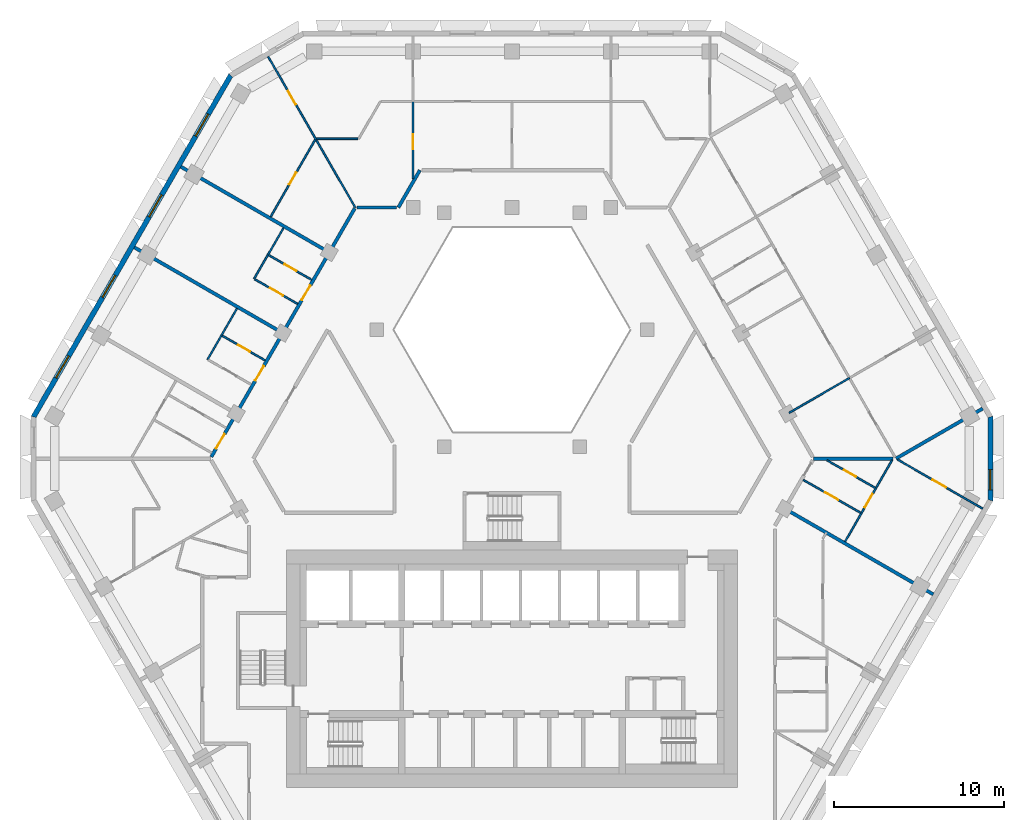
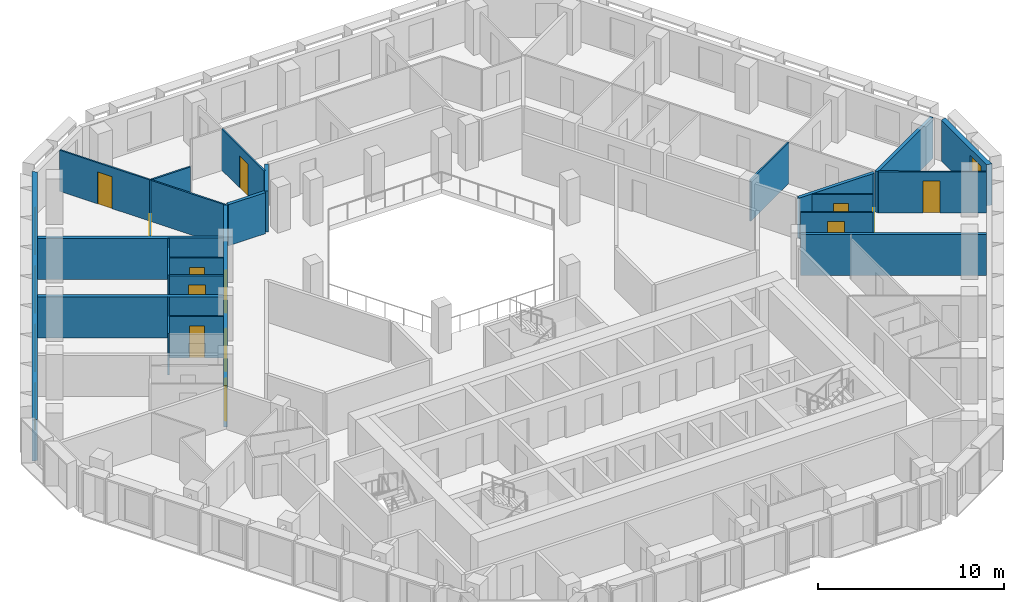
# One storey, part 7 of 15: 24 walls, 13 doors, 5 windows, 18 openings.
"""IFC4 building model written with IfcOpenShell, lengths in metres."""

from ifc_helpers import new_model, si_unit, direction, frame, frame_2d, origin, place, context, subcontext, project, spatial, polyline, rectangle, outline, extrude, material, layer, layer_set, type_object, element, fill, save


model = new_model("IFC4")

# Units and contexts
model_context = context("Model", 3, precision=1e-05, world=origin(), true_north=direction((0.0, 1.0)))
body_context = subcontext(model_context, "Body", "Model", "MODEL_VIEW")
ifc_project = project(units=[si_unit("LENGTHUNIT", "METRE"), si_unit("AREAUNIT", "SQUARE_METRE"), si_unit("VOLUMEUNIT", "CUBIC_METRE"), si_unit("PLANEANGLEUNIT", "RADIAN"), si_unit("MASSUNIT", "GRAM", prefix="KILO")], contexts=[model_context])

# Site, building, storey
site_placement = place(None, origin())
site = spatial("IfcSite", under=ifc_project, at=site_placement, CompositionType="ELEMENT")
building_placement = place(site_placement, origin())
building = spatial("IfcBuilding", under=site, at=building_placement, Name="Beryl Residences", CompositionType="ELEMENT")
storey_placement = place(building_placement, frame((0.0, 0.0, 135.60009765625)))
storey = spatial("IfcBuildingStorey", under=building, at=storey_placement, Name="L41", CompositionType="ELEMENT", Elevation=135.60009765625)

# Wall, openings, windows
ifc_material_1 = material(Name="Composite metal panel with mineral wool insulation")
ifc_layer_1 = layer(ifc_material_1, 0.300048828125)
ifc_layer_set_1 = layer_set([ifc_layer_1], Name="ES1 pale metal composite panel wall 300 mm")
wall_type_1 = type_object("IfcWallType", Name="ES1 pale metal composite panel wall 300 mm", PredefinedType="SOLIDWALL", material=ifc_layer_set_1)
wall_1_placement = place(storey_placement, frame((-16.554931640625, 23.02490234375, 0.0), z_axis=(0.0, 0.0, 1.0), x_axis=(-0.500020536353, -0.866013546791, 0.0)))
wall_1 = element("IfcWall", 1, at=wall_1_placement, inside=storey, type_object=wall_type_1, Name="ES1 external wall L41 NW", PredefinedType="SOLIDWALL", context=body_context, shape_type="SweptSolid", body=[
    extrude(outline(polyline([(0.0, -0.14990234375), (23.3251953125, -0.14990234375), (23.244873046875, 0.14990234375), (0.080322265625, 0.14990234375), (0.0, -0.14990234375)])), origin(), (0.0, 0.0, 1.0), 2.699951171875),
])
opening_1_placement = place(wall_1_placement, frame((2.68505859375, 0.0, 0.14990234375)))
opening_1 = element("IfcOpeningElement", 2, at=opening_1_placement, cuts=wall_1, Name="Opening W1", PredefinedType="OPENING", context=body_context, shape_type="SweptSolid", body=[
    extrude(rectangle(XDim=1.5, YDim=2.10009765625, at=frame_2d((0.75, 1.050048828125))), frame((0.0, 0.159912109375, 0.0), z_axis=(0.0, -1.0, 0.0), x_axis=(1.0, 0.0, 0.0)), (0.0, 0.0, 1.0), 0.320068359375),
])
opening_2_placement = place(wall_1_placement, frame((8.1708984375, 0.0, 0.14990234375)))
opening_2 = element("IfcOpeningElement", 3, at=opening_2_placement, cuts=wall_1, Name="Opening W1", PredefinedType="OPENING", context=body_context, shape_type="SweptSolid", body=[
    extrude(rectangle(XDim=1.5, YDim=2.10009765625, at=frame_2d((0.75, 1.050048828125))), frame((0.0, 0.159912109375, 0.0), z_axis=(0.0, -1.0, 0.0), x_axis=(1.0, 0.0, 0.0)), (0.0, 0.0, 1.0), 0.320068359375),
])
opening_3_placement = place(wall_1_placement, frame((13.655029296875, 0.0, 0.14990234375)))
opening_3 = element("IfcOpeningElement", 4, at=opening_3_placement, cuts=wall_1, Name="Opening W1", PredefinedType="OPENING", context=body_context, shape_type="SweptSolid", body=[
    extrude(rectangle(XDim=1.5, YDim=2.10009765625, at=frame_2d((0.75, 1.050048828125))), frame((0.0, 0.159912109375, 0.0), z_axis=(0.0, -1.0, 0.0), x_axis=(1.0, 0.0, 0.0)), (0.0, 0.0, 1.0), 0.320068359375),
])
opening_4_placement = place(wall_1_placement, frame((19.139892578125, 0.0, 0.14990234375)))
opening_4 = element("IfcOpeningElement", 5, at=opening_4_placement, cuts=wall_1, Name="Opening W1", PredefinedType="OPENING", context=body_context, shape_type="SweptSolid", body=[
    extrude(rectangle(XDim=1.5, YDim=2.10009765625, at=frame_2d((0.75, 1.050048828125))), frame((0.0, 0.159912109375, 0.0), z_axis=(0.0, -1.0, 0.0), x_axis=(1.0, 0.0, 0.0)), (0.0, 0.0, 1.0), 0.320068359375),
])
ifc_material_2 = material(Name="Aluminium and clear glass", Category="aluminium")
window_type_1 = type_object("IfcWindowType", Name="W1 cell window 1500 x 2100 mm", PartitioningType="SINGLE_PANEL", PredefinedType="WINDOW", material=ifc_material_2)
window_1_placement = place(opening_1_placement, origin())
window_1 = element("IfcWindow", 6, at=window_1_placement, inside=storey, type_object=window_type_1, Name="W1 window L41 NW 2", OverallHeight=2.10009765625, OverallWidth=1.5, PartitioningType="SINGLE_PANEL", PredefinedType="WINDOW", context=body_context, shape_type="SweptSolid", body=[
    extrude(rectangle(XDim=1.5, YDim=2.10009765625, at=frame_2d((0.75, 1.050048828125))), frame((0.0, 0.030029296875, 0.0), z_axis=(0.0, -1.0, 0.0), x_axis=(1.0, 0.0, 0.0)), (0.0, 0.0, 1.0), 0.06005859375),
])
fill(opening_1, window_1)
window_2_placement = place(opening_2_placement, origin())
window_2 = element("IfcWindow", 7, at=window_2_placement, inside=storey, type_object=window_type_1, Name="W1 window L41 NW 4", OverallHeight=2.10009765625, OverallWidth=1.5, PartitioningType="SINGLE_PANEL", PredefinedType="WINDOW", context=body_context, shape_type="SweptSolid", body=[
    extrude(rectangle(XDim=1.5, YDim=2.10009765625, at=frame_2d((0.75, 1.050048828125))), frame((0.0, 0.030029296875, 0.0), z_axis=(0.0, -1.0, 0.0), x_axis=(1.0, 0.0, 0.0)), (0.0, 0.0, 1.0), 0.06005859375),
])
fill(opening_2, window_2)
window_3_placement = place(opening_3_placement, origin())
window_3 = element("IfcWindow", 8, at=window_3_placement, inside=storey, type_object=window_type_1, Name="W1 window L41 NW 6", OverallHeight=2.10009765625, OverallWidth=1.5, PartitioningType="SINGLE_PANEL", PredefinedType="WINDOW", context=body_context, shape_type="SweptSolid", body=[
    extrude(rectangle(XDim=1.5, YDim=2.10009765625, at=frame_2d((0.75, 1.050048828125))), frame((0.0, 0.030029296875, 0.0), z_axis=(0.0, -1.0, 0.0), x_axis=(1.0, 0.0, 0.0)), (0.0, 0.0, 1.0), 0.06005859375),
])
fill(opening_3, window_3)
window_4_placement = place(opening_4_placement, origin())
window_4 = element("IfcWindow", 9, at=window_4_placement, inside=storey, type_object=window_type_1, Name="W1 window L41 NW 8", OverallHeight=2.10009765625, OverallWidth=1.5, PartitioningType="SINGLE_PANEL", PredefinedType="WINDOW", context=body_context, shape_type="SweptSolid", body=[
    extrude(rectangle(XDim=1.5, YDim=2.10009765625, at=frame_2d((0.75, 1.050048828125))), frame((0.0, 0.030029296875, 0.0), z_axis=(0.0, -1.0, 0.0), x_axis=(1.0, 0.0, 0.0)), (0.0, 0.0, 1.0), 0.06005859375),
])
fill(opening_4, window_4)

# Wall, opening, window
wall_2_placement = place(storey_placement, frame((28.197998046875, -2.10009765625, 0.0), z_axis=(0.0, 0.0, 1.0), x_axis=(0.0, 1.0, 0.0)))
wall_2 = element("IfcWall", 10, at=wall_2_placement, inside=storey, type_object=wall_type_1, Name="ES1 external wall L41 SE-NE", PredefinedType="SOLIDWALL", context=body_context, shape_type="SweptSolid", body=[
    extrude(outline(polyline([(0.0, -0.14990234375), (5.0, -0.14990234375), (4.919677734375, 0.14990234375), (0.080322265625, 0.14990234375), (0.0, -0.14990234375)])), origin(), (0.0, 0.0, 1.0), 2.699951171875),
])
opening_5_placement = place(wall_2_placement, frame((0.64990234375, 0.0, 0.14990234375)))
opening_5 = element("IfcOpeningElement", 11, at=opening_5_placement, cuts=wall_2, Name="Opening W2", PredefinedType="OPENING", context=body_context, shape_type="SweptSolid", body=[
    extrude(rectangle(XDim=1.199951171875, YDim=2.10009765625, at=frame_2d((0.60009765625, 1.050048828125))), frame((0.0, 0.159912109375, 0.0), z_axis=(0.0, -1.0, 0.0), x_axis=(1.0, 0.0, 0.0)), (0.0, 0.0, 1.0), 0.320068359375),
])
ifc_material_3 = material(Name="Aluminium and clear glass", Category="aluminium")
window_type_2 = type_object("IfcWindowType", Name="W2 chamfer window 1200 x 2100 mm", PartitioningType="SINGLE_PANEL", PredefinedType="WINDOW", material=ifc_material_3)
window_5_placement = place(opening_5_placement, origin())
window_5 = element("IfcWindow", 12, at=window_5_placement, inside=storey, type_object=window_type_2, Name="W2 window L41 SE-NE 1", OverallHeight=2.10009765625, OverallWidth=1.199951171875, PartitioningType="SINGLE_PANEL", PredefinedType="WINDOW", context=body_context, shape_type="SweptSolid", body=[
    extrude(rectangle(XDim=1.199951171875, YDim=2.10009765625, at=frame_2d((0.60009765625, 1.050048828125))), frame((0.0, 0.030029296875, 0.0), z_axis=(0.0, -1.0, 0.0), x_axis=(1.0, 0.0, 0.0)), (0.0, 0.0, 1.0), 0.06005859375),
])
fill(opening_5, window_5)

# Wall, opening, door
ifc_material_4 = material(Name="Gypsum board partition on steel studs", Category="steel")
ifc_layer_2 = layer(ifc_material_4, 0.10009765625)
ifc_layer_set_2 = layer_set([ifc_layer_2], Name="PT1 partition 100 mm gypsum board on steel studs")
wall_type_2 = type_object("IfcWallType", Name="PT1 partition 100 mm gypsum board on steel studs", PredefinedType="PARTITIONING", material=ifc_layer_set_2)
wall_3_placement = place(storey_placement, frame((-14.3701171875, 24.090087890625, 0.0), z_axis=(0.0, 0.0, 1.0), x_axis=(0.50002438799, -0.866011322914, 0.0)))
wall_3 = element("IfcWall", 13, at=wall_3_placement, inside=storey, type_object=wall_type_2, Name="Wall PT1 L41 001", PredefinedType="PARTITIONING", context=body_context, shape_type="SweptSolid", body=[
    extrude(rectangle(XDim=10.265625, YDim=0.10009765625, at=frame_2d((5.1328125, 0.0))), origin(), (0.0, 0.0, 1.0), 2.699951171875),
])
opening_6_placement = place(wall_3_placement, frame((2.346923828125, 0.0, 0.0)))
opening_6 = element("IfcOpeningElement", 14, at=opening_6_placement, cuts=wall_3, Name="Opening D1335", PredefinedType="OPENING", context=body_context, shape_type="SweptSolid", body=[
    extrude(rectangle(XDim=0.89990234375, YDim=2.10009765625, at=frame_2d((0.449951171875, 1.050048828125))), frame((0.0, 0.06005859375, 0.0), z_axis=(0.0, -1.0, 0.0), x_axis=(1.0, 0.0, 0.0)), (0.0, 0.0, 1.0), 0.1201171875),
])
ifc_material_5 = material(Name="Timber door leaf", Category="wood")
door_type_1 = type_object("IfcDoorType", Name="D2 room door 900 x 2100 mm", OperationType="SINGLE_SWING_LEFT", PredefinedType="DOOR", material=ifc_material_5)
door_1_placement = place(opening_6_placement, origin())
door_1 = element("IfcDoor", 15, at=door_1_placement, inside=storey, type_object=door_type_1, Name="Door D1335 L41 001", OperationType="SINGLE_SWING_LEFT", OverallHeight=2.10009765625, OverallWidth=0.89990234375, PredefinedType="DOOR", context=body_context, shape_type="SweptSolid", body=[
    extrude(rectangle(XDim=0.89990234375, YDim=2.10009765625, at=frame_2d((0.449951171875, 1.050048828125))), frame((0.0, 0.02490234375, 0.0), z_axis=(0.0, -1.0, 0.0), x_axis=(1.0, 0.0, 0.0)), (0.0, 0.0, 1.0), 0.050048828125),
])
fill(opening_6, door_1)

wall_4_placement = place(storey_placement, frame((-17.075927734375, 7.64208984375, 0.0), z_axis=(0.0, 0.0, 1.0), x_axis=(0.866003949776, -0.500037157592, 0.0)))
wall_4 = element("IfcWall", 16, at=wall_4_placement, inside=storey, type_object=wall_type_2, Name="Wall PT1 L41 013", PredefinedType="PARTITIONING", context=body_context, shape_type="SweptSolid", body=[
    extrude(rectangle(XDim=2.909912109375, YDim=0.10009765625, at=frame_2d((1.455078125, 0.0))), origin(), (0.0, 0.0, 1.0), 2.699951171875),
])
opening_7_placement = place(wall_4_placement, frame((1.080078125, 0.0, 0.0)))
opening_7 = element("IfcOpeningElement", 17, at=opening_7_placement, cuts=wall_4, Name="Opening D1343", PredefinedType="OPENING", context=body_context, shape_type="SweptSolid", body=[
    extrude(rectangle(XDim=0.800048828125, YDim=2.10009765625, at=frame_2d((0.39990234375, 1.050048828125))), frame((0.0, 0.06005859375, 0.0), z_axis=(0.0, -1.0, 0.0), x_axis=(1.0, 0.0, 0.0)), (0.0, 0.0, 1.0), 0.1201171875),
])
ifc_material_6 = material(Name="Timber door leaf", Category="wood")
door_type_2 = type_object("IfcDoorType", Name="D3 bathroom door 800 x 2100 mm", OperationType="SINGLE_SWING_LEFT", PredefinedType="DOOR", material=ifc_material_6)
door_2_placement = place(opening_7_placement, origin())
door_2 = element("IfcDoor", 18, at=door_2_placement, inside=storey, type_object=door_type_2, Name="Door D1343 L41 001", OperationType="SINGLE_SWING_LEFT", OverallHeight=2.10009765625, OverallWidth=0.800048828125, PredefinedType="DOOR", context=body_context, shape_type="SweptSolid", body=[
    extrude(rectangle(XDim=0.800048828125, YDim=2.10009765625, at=frame_2d((0.39990234375, 1.050048828125))), frame((0.0, 0.02490234375, 0.0), z_axis=(0.0, -1.0, 0.0), x_axis=(1.0, 0.0, 0.0)), (0.0, 0.0, 1.0), 0.050048828125),
])
fill(opening_7, door_2)

wall_5_placement = place(storey_placement, frame((-14.333984375, 12.39208984375, 0.0), z_axis=(0.0, 0.0, 1.0), x_axis=(0.866003949776, -0.500037157592, 0.0)))
wall_5 = element("IfcWall", 19, at=wall_5_placement, inside=storey, type_object=wall_type_2, Name="Wall PT1 L41 015", PredefinedType="PARTITIONING", context=body_context, shape_type="SweptSolid", body=[
    extrude(rectangle(XDim=2.909912109375, YDim=0.10009765625, at=frame_2d((1.455078125, 0.0))), origin(), (0.0, 0.0, 1.0), 2.699951171875),
])
opening_8_placement = place(wall_5_placement, frame((1.080078125, 0.0, 0.0)))
opening_8 = element("IfcOpeningElement", 20, at=opening_8_placement, cuts=wall_5, Name="Opening D1340", PredefinedType="OPENING", context=body_context, shape_type="SweptSolid", body=[
    extrude(rectangle(XDim=0.800048828125, YDim=2.10009765625, at=frame_2d((0.39990234375, 1.050048828125))), frame((0.0, 0.06005859375, 0.0), z_axis=(0.0, -1.0, 0.0), x_axis=(1.0, 0.0, 0.0)), (0.0, 0.0, 1.0), 0.1201171875),
])
door_3_placement = place(opening_8_placement, origin())
door_3 = element("IfcDoor", 21, at=door_3_placement, inside=storey, type_object=door_type_2, Name="Door D1340 L41 001", OperationType="SINGLE_SWING_RIGHT", OverallHeight=2.10009765625, OverallWidth=0.800048828125, PredefinedType="DOOR", context=body_context, shape_type="SweptSolid", body=[
    extrude(rectangle(XDim=0.800048828125, YDim=2.10009765625, at=frame_2d((0.39990234375, 1.050048828125))), frame((0.0, 0.02490234375, 0.0), z_axis=(0.0, -1.0, 0.0), x_axis=(1.0, 0.0, 0.0)), (0.0, 0.0, 1.0), 0.050048828125),
])
fill(opening_8, door_3)

wall_6_placement = place(storey_placement, frame((17.1708984375, -0.85693359375, 0.0), z_axis=(0.0, 0.0, 1.0), x_axis=(0.867173455867, -0.49800622229, 0.0)))
wall_6 = element("IfcWall", 22, at=wall_6_placement, inside=storey, type_object=wall_type_2, Name="Wall PT1 L41 016", PredefinedType="PARTITIONING", context=body_context, shape_type="SweptSolid", body=[
    extrude(rectangle(XDim=3.89794921875, YDim=0.10009765625, at=frame_2d((1.948974609375, 0.0))), origin(), (0.0, 0.0, 1.0), 2.699951171875),
])
opening_9_placement = place(wall_6_placement, frame((1.47412109375, 0.0, 0.0)))
opening_9 = element("IfcOpeningElement", 23, at=opening_9_placement, cuts=wall_6, Name="Opening D1315", PredefinedType="OPENING", context=body_context, shape_type="SweptSolid", body=[
    extrude(rectangle(XDim=0.89990234375, YDim=2.10009765625, at=frame_2d((0.449951171875, 1.050048828125))), frame((0.0, 0.06005859375, 0.0), z_axis=(0.0, -1.0, 0.0), x_axis=(1.0, 0.0, 0.0)), (0.0, 0.0, 1.0), 0.1201171875),
])
door_4_placement = place(opening_9_placement, origin())
door_4 = element("IfcDoor", 24, at=door_4_placement, inside=storey, type_object=door_type_1, Name="Door D1315 L41 001", OperationType="SINGLE_SWING_LEFT", OverallHeight=2.10009765625, OverallWidth=0.89990234375, PredefinedType="DOOR", context=body_context, shape_type="SweptSolid", body=[
    extrude(rectangle(XDim=0.89990234375, YDim=2.10009765625, at=frame_2d((0.449951171875, 1.050048828125))), frame((0.0, 0.02490234375, 0.0), z_axis=(0.0, -1.0, 0.0), x_axis=(1.0, 0.0, 0.0)), (0.0, 0.0, 1.0), 0.050048828125),
])
fill(opening_9, door_4)

wall_7_placement = place(storey_placement, frame((18.568115234375, 0.301025390625, 0.0), z_axis=(0.0, 0.0, 1.0), x_axis=(0.867155675456, -0.49803718187, 0.0)))
wall_7 = element("IfcWall", 25, at=wall_7_placement, inside=storey, type_object=wall_type_2, Name="Wall PT1 L41 017", PredefinedType="PARTITIONING", context=body_context, shape_type="SweptSolid", body=[
    extrude(rectangle(XDim=3.266845703125, YDim=0.10009765625, at=frame_2d((1.63330078125, 0.0))), origin(), (0.0, 0.0, 1.0), 2.699951171875),
])
opening_10_placement = place(wall_7_placement, frame((1.157958984375, 0.0, 0.0)))
opening_10 = element("IfcOpeningElement", 26, at=opening_10_placement, cuts=wall_7, Name="Opening D1316", PredefinedType="OPENING", context=body_context, shape_type="SweptSolid", body=[
    extrude(rectangle(XDim=0.800048828125, YDim=2.10009765625, at=frame_2d((0.39990234375, 1.050048828125))), frame((0.0, 0.06005859375, 0.0), z_axis=(0.0, -1.0, 0.0), x_axis=(1.0, 0.0, 0.0)), (0.0, 0.0, 1.0), 0.1201171875),
])
door_5_placement = place(opening_10_placement, origin())
door_5 = element("IfcDoor", 27, at=door_5_placement, inside=storey, type_object=door_type_2, Name="Door D1316 L41 001", OperationType="SINGLE_SWING_RIGHT", OverallHeight=2.10009765625, OverallWidth=0.800048828125, PredefinedType="DOOR", context=body_context, shape_type="SweptSolid", body=[
    extrude(rectangle(XDim=0.800048828125, YDim=2.10009765625, at=frame_2d((0.39990234375, 1.050048828125))), frame((0.0, 0.02490234375, 0.0), z_axis=(0.0, -1.0, 0.0), x_axis=(1.0, 0.0, 0.0)), (0.0, 0.0, 1.0), 0.050048828125),
])
fill(opening_10, door_5)

wall_8_placement = place(storey_placement, frame((22.72900390625, 0.343017578125, 0.0), z_axis=(0.0, 0.0, 1.0), x_axis=(0.865996608848, -0.500049870977, 0.0)))
wall_8 = element("IfcWall", 28, at=wall_8_placement, inside=storey, type_object=wall_type_2, Name="Wall PT1 L41 018", PredefinedType="PARTITIONING", context=body_context, shape_type="SweptSolid", body=[
    extrude(rectangle(XDim=5.78759765625, YDim=0.10009765625, at=frame_2d((2.893798828125, 0.0))), origin(), (0.0, 0.0, 1.0), 2.699951171875),
])
opening_11_placement = place(wall_8_placement, frame((2.385986328125, 0.0, 0.0)))
opening_11 = element("IfcOpeningElement", 29, at=opening_11_placement, cuts=wall_8, Name="Opening D1318", PredefinedType="OPENING", context=body_context, shape_type="SweptSolid", body=[
    extrude(rectangle(XDim=0.89990234375, YDim=2.10009765625, at=frame_2d((0.449951171875, 1.050048828125))), frame((0.0, 0.06005859375, 0.0), z_axis=(0.0, -1.0, 0.0), x_axis=(1.0, 0.0, 0.0)), (0.0, 0.0, 1.0), 0.1201171875),
])
door_6_placement = place(opening_11_placement, origin())
door_6 = element("IfcDoor", 30, at=door_6_placement, inside=storey, type_object=door_type_1, Name="Door D1318 L41 001", OperationType="SINGLE_SWING_RIGHT", OverallHeight=2.10009765625, OverallWidth=0.89990234375, PredefinedType="DOOR", context=body_context, shape_type="SweptSolid", body=[
    extrude(rectangle(XDim=0.89990234375, YDim=2.10009765625, at=frame_2d((0.449951171875, 1.050048828125))), frame((0.0, 0.02490234375, 0.0), z_axis=(0.0, -1.0, 0.0), x_axis=(1.0, 0.0, 0.0)), (0.0, 0.0, 1.0), 0.050048828125),
])
fill(opening_11, door_6)

wall_9_placement = place(storey_placement, frame((-15.156005859375, 10.967041015625, 0.0), z_axis=(0.0, 0.0, 1.0), x_axis=(0.866003949776, -0.500037157592, 0.0)))
wall_9 = element("IfcWall", 31, at=wall_9_placement, inside=storey, type_object=wall_type_2, Name="Wall PT1 L41 019", PredefinedType="PARTITIONING", context=body_context, shape_type="SweptSolid", body=[
    extrude(rectangle(XDim=2.909912109375, YDim=0.10009765625, at=frame_2d((1.455078125, 0.0))), origin(), (0.0, 0.0, 1.0), 2.699951171875),
])
opening_12_placement = place(wall_9_placement, frame((1.029052734375, 0.0, 0.0)))
opening_12 = element("IfcOpeningElement", 32, at=opening_12_placement, cuts=wall_9, Name="Opening D1339", PredefinedType="OPENING", context=body_context, shape_type="SweptSolid", body=[
    extrude(rectangle(XDim=0.89990234375, YDim=2.10009765625, at=frame_2d((0.449951171875, 1.050048828125))), frame((0.0, 0.06005859375, 0.0), z_axis=(0.0, -1.0, 0.0), x_axis=(1.0, 0.0, 0.0)), (0.0, 0.0, 1.0), 0.1201171875),
])
door_7_placement = place(opening_12_placement, origin())
door_7 = element("IfcDoor", 33, at=door_7_placement, inside=storey, type_object=door_type_1, Name="Door D1339 L41 001", OperationType="SINGLE_SWING_LEFT", OverallHeight=2.10009765625, OverallWidth=0.89990234375, PredefinedType="DOOR", context=body_context, shape_type="SweptSolid", body=[
    extrude(rectangle(XDim=0.89990234375, YDim=2.10009765625, at=frame_2d((0.449951171875, 1.050048828125))), frame((0.0, 0.02490234375, 0.0), z_axis=(0.0, -1.0, 0.0), x_axis=(1.0, 0.0, 0.0)), (0.0, 0.0, 1.0), 0.050048828125),
])
fill(opening_12, door_7)

# Wall
wall_10_placement = place(storey_placement, frame((-11.51611328125, 19.24609375, 0.0), z_axis=(0.0, 0.0, 1.0), x_axis=(1.0, 0.0, 0.0)))
element("IfcWall", 34, at=wall_10_placement, inside=storey, type_object=wall_type_2, Name="Wall PT1 L41 025", PredefinedType="PARTITIONING", context=body_context, shape_type="SweptSolid", body=[
    extrude(rectangle(XDim=2.425048828125, YDim=0.10009765625, at=frame_2d((1.21240234375, 0.0))), origin(), (0.0, 0.0, 1.0), 2.699951171875),
])

# Wall, opening, door
wall_11_placement = place(storey_placement, frame((19.633056640625, -4.488037109375, 0.0), z_axis=(0.0, 0.0, 1.0), x_axis=(0.499989971015, 0.866031193944, 0.0)))
wall_11 = element("IfcWall", 35, at=wall_11_placement, inside=storey, type_object=wall_type_2, Name="Wall PT1 L41 029", PredefinedType="PARTITIONING", context=body_context, shape_type="SweptSolid", body=[
    extrude(rectangle(XDim=5.52978515625, YDim=0.10009765625, at=frame_2d((2.764892578125, 0.0))), origin(), (0.0, 0.0, 1.0), 2.699951171875),
])
opening_13_placement = place(wall_11_placement, frame((2.322021484375, 0.0, 0.0)))
opening_13 = element("IfcOpeningElement", 36, at=opening_13_placement, cuts=wall_11, Name="Opening D1317", PredefinedType="OPENING", context=body_context, shape_type="SweptSolid", body=[
    extrude(rectangle(XDim=0.89990234375, YDim=2.10009765625, at=frame_2d((0.449951171875, 1.050048828125))), frame((0.0, 0.06005859375, 0.0), z_axis=(0.0, -1.0, 0.0), x_axis=(1.0, 0.0, 0.0)), (0.0, 0.0, 1.0), 0.1201171875),
])
door_8_placement = place(opening_13_placement, origin())
door_8 = element("IfcDoor", 37, at=door_8_placement, inside=storey, type_object=door_type_1, Name="Door D1317 L41 001", OperationType="SINGLE_SWING_LEFT", OverallHeight=2.10009765625, OverallWidth=0.89990234375, PredefinedType="DOOR", context=body_context, shape_type="SweptSolid", body=[
    extrude(rectangle(XDim=0.89990234375, YDim=2.10009765625, at=frame_2d((0.449951171875, 1.050048828125))), frame((0.0, 0.02490234375, 0.0), z_axis=(0.0, -1.0, 0.0), x_axis=(1.0, 0.0, 0.0)), (0.0, 0.0, 1.0), 0.050048828125),
])
fill(opening_13, door_8)

# Walls
wall_12_placement = place(storey_placement, frame((-17.94189453125, 6.242919921875, 0.0), z_axis=(0.0, 0.0, 1.0), x_axis=(0.49997462182, 0.866040055388, 0.0)))
element("IfcWall", 38, at=wall_12_placement, inside=storey, type_object=wall_type_2, Name="Wall PT1 L41 031", PredefinedType="PARTITIONING", context=body_context, shape_type="SweptSolid", body=[
    extrude(rectangle(XDim=3.464111328125, YDim=0.10009765625, at=frame_2d((1.73193359375, 0.0))), origin(), (0.0, 0.0, 1.0), 2.699951171875),
])
wall_13_placement = place(storey_placement, frame((-15.198974609375, 10.992919921875, 0.0), z_axis=(0.0, 0.0, 1.0), x_axis=(0.499885210257, 0.866091667531, 0.0)))
element("IfcWall", 39, at=wall_13_placement, inside=storey, type_object=wall_type_2, Name="Wall PT1 L41 032", PredefinedType="PARTITIONING", context=body_context, shape_type="SweptSolid", body=[
    extrude(rectangle(XDim=3.462646484375, YDim=0.10009765625, at=frame_2d((1.7314453125, 0.0))), origin(), (0.0, 0.0, 1.0), 2.699951171875),
])

# Wall, opening, door
wall_14_placement = place(storey_placement, frame((-14.221923828125, 14.658935546875, 0.0), z_axis=(0.0, 0.0, 1.0), x_axis=(0.500053212623, 0.865994679283, 0.0)))
wall_14 = element("IfcWall", 40, at=wall_14_placement, inside=storey, type_object=wall_type_2, Name="Wall PT1 L41 034", PredefinedType="PARTITIONING", context=body_context, shape_type="SweptSolid", body=[
    extrude(rectangle(XDim=5.2392578125, YDim=0.10009765625, at=frame_2d((2.61962890625, 0.0))), origin(), (0.0, 0.0, 1.0), 2.699951171875),
])
opening_14_placement = place(wall_14_placement, frame((2.197998046875, 0.0, 0.0)))
opening_14 = element("IfcOpeningElement", 41, at=opening_14_placement, cuts=wall_14, Name="Opening D1337", PredefinedType="OPENING", context=body_context, shape_type="SweptSolid", body=[
    extrude(rectangle(XDim=0.800048828125, YDim=2.10009765625, at=frame_2d((0.39990234375, 1.050048828125))), frame((0.0, 0.06005859375, 0.0), z_axis=(0.0, -1.0, 0.0), x_axis=(1.0, 0.0, 0.0)), (0.0, 0.0, 1.0), 0.1201171875),
])
door_9_placement = place(opening_14_placement, origin())
door_9 = element("IfcDoor", 42, at=door_9_placement, inside=storey, type_object=door_type_2, Name="Door D1337 L41 001", OperationType="SINGLE_SWING_LEFT", OverallHeight=2.10009765625, OverallWidth=0.800048828125, PredefinedType="DOOR", context=body_context, shape_type="SweptSolid", body=[
    extrude(rectangle(XDim=0.800048828125, YDim=2.10009765625, at=frame_2d((0.39990234375, 1.050048828125))), frame((0.0, 0.02490234375, 0.0), z_axis=(0.0, -1.0, 0.0), x_axis=(1.0, 0.0, 0.0)), (0.0, 0.0, 1.0), 0.050048828125),
])
fill(opening_14, door_9)

wall_15_placement = place(storey_placement, frame((-5.8310546875, 16.89990234375, 0.0), z_axis=(0.0, 0.0, 1.0), x_axis=(0.0, 1.0, 0.0)))
wall_15 = element("IfcWall", 43, at=wall_15_placement, inside=storey, type_object=wall_type_2, Name="Wall PT1 L41 045", PredefinedType="PARTITIONING", context=body_context, shape_type="SweptSolid", body=[
    extrude(rectangle(XDim=4.546142578125, YDim=0.10009765625, at=frame_2d((2.27294921875, 0.0))), origin(), (0.0, 0.0, 1.0), 2.699951171875),
])
opening_15_placement = place(wall_15_placement, frame((1.722900390625, 0.0, 0.0)))
opening_15 = element("IfcOpeningElement", 44, at=opening_15_placement, cuts=wall_15, Name="Opening D1330", PredefinedType="OPENING", context=body_context, shape_type="SweptSolid", body=[
    extrude(rectangle(XDim=0.89990234375, YDim=2.10009765625, at=frame_2d((0.449951171875, 1.050048828125))), frame((0.0, 0.06005859375, 0.0), z_axis=(0.0, -1.0, 0.0), x_axis=(1.0, 0.0, 0.0)), (0.0, 0.0, 1.0), 0.1201171875),
])
door_10_placement = place(opening_15_placement, origin())
door_10 = element("IfcDoor", 45, at=door_10_placement, inside=storey, type_object=door_type_1, Name="Door D1330 L41 001", OperationType="SINGLE_SWING_RIGHT", OverallHeight=2.10009765625, OverallWidth=0.89990234375, PredefinedType="DOOR", context=body_context, shape_type="SweptSolid", body=[
    extrude(rectangle(XDim=0.89990234375, YDim=2.10009765625, at=frame_2d((0.449951171875, 1.050048828125))), frame((0.0, 0.02490234375, 0.0), z_axis=(0.0, -1.0, 0.0), x_axis=(1.0, 0.0, 0.0)), (0.0, 0.0, 1.0), 0.050048828125),
])
fill(opening_15, door_10)

# Walls
wall_16_placement = place(storey_placement, frame((16.339111328125, 3.10009765625, 0.0), z_axis=(0.0, 0.0, 1.0), x_axis=(0.866050731258, 0.499956128963, 0.0)))
element("IfcWall", 46, at=wall_16_placement, inside=storey, type_object=wall_type_2, Name="Wall PT1 L41 047", PredefinedType="PARTITIONING", context=body_context, shape_type="SweptSolid", body=[
    extrude(rectangle(XDim=4.099853515625, YDim=0.10009765625, at=frame_2d((2.0498046875, 0.0))), origin(), (0.0, 0.0, 1.0), 2.699951171875),
])
ifc_material_7 = material(Name="Acoustic double stud gypsum board wall")
ifc_layer_3 = layer(ifc_material_7, 0.199951171875)
ifc_layer_set_3 = layer_set([ifc_layer_3], Name="PT3 party wall 200 mm acoustic double stud")
wall_type_3 = type_object("IfcWallType", Name="PT3 party wall 200 mm acoustic double stud", PredefinedType="PARTITIONING", material=ifc_layer_set_3)
wall_17_placement = place(storey_placement, frame((-22.257080078125, 12.85009765625, 0.0), z_axis=(0.0, 0.0, 1.0), x_axis=(0.866047370643, -0.499961950354, 0.0)))
element("IfcWall", 47, at=wall_17_placement, inside=storey, type_object=wall_type_3, Name="Wall PT3 L41 003", PredefinedType="PARTITIONING", context=body_context, shape_type="SweptSolid", body=[
    extrude(rectangle(XDim=10.000732421875, YDim=0.199951171875, at=frame_2d((5.00048828125, 0.0))), origin(), (0.0, 0.0, 1.0), 2.699951171875),
])
wall_18_placement = place(storey_placement, frame((-19.513916015625, 17.59912109375, 0.0), z_axis=(0.0, 0.0, 1.0), x_axis=(0.866059142644, -0.499941558027, 0.0)))
element("IfcWall", 48, at=wall_18_placement, inside=storey, type_object=wall_type_3, Name="Wall PT3 L41 004", PredefinedType="PARTITIONING", context=body_context, shape_type="SweptSolid", body=[
    extrude(rectangle(XDim=9.999267578125, YDim=0.199951171875, at=frame_2d((4.99951171875, 0.0))), origin(), (0.0, 0.0, 1.0), 2.699951171875),
])
wall_19_placement = place(storey_placement, frame((16.1650390625, -2.60107421875, 0.0), z_axis=(0.0, 0.0, 1.0), x_axis=(0.866016855193, -0.500014806302, 0.0)))
element("IfcWall", 49, at=wall_19_placement, inside=storey, type_object=wall_type_3, Name="Wall PT3 L41 005", PredefinedType="PARTITIONING", context=body_context, shape_type="SweptSolid", body=[
    extrude(rectangle(XDim=9.999755859375, YDim=0.199951171875, at=frame_2d((5.0, 0.0))), origin(), (0.0, 0.0, 1.0), 2.699951171875),
])
wall_20_placement = place(storey_placement, frame((17.781982421875, 0.40087890625, 0.0), z_axis=(0.0, 0.0, 1.0), x_axis=(1.0, 0.0, 0.0)))
element("IfcWall", 50, at=wall_20_placement, inside=storey, type_object=wall_type_3, Name="Wall PT3 L41 007", PredefinedType="PARTITIONING", context=body_context, shape_type="SweptSolid", body=[
    extrude(rectangle(XDim=4.674072265625, YDim=0.199951171875, at=frame_2d((2.3369140625, 0.0))), origin(), (0.0, 0.0, 1.0), 2.699951171875),
])
wall_21_placement = place(storey_placement, frame((22.634033203125, 0.40087890625, 0.0), z_axis=(0.0, 0.0, 1.0), x_axis=(0.86601325737, 0.500021037617, 0.0)))
element("IfcWall", 51, at=wall_21_placement, inside=storey, type_object=wall_type_3, Name="Wall PT3 L41 011", PredefinedType="PARTITIONING", context=body_context, shape_type="SweptSolid", body=[
    extrude(rectangle(XDim=5.898193359375, YDim=0.199951171875, at=frame_2d((2.94921875, 0.0))), origin(), (0.0, 0.0, 1.0), 2.699951171875),
])
ifc_material_8 = material(Name="Double stud gypsum board wall")
ifc_layer_4 = layer(ifc_material_8, 0.199951171875)
ifc_layer_set_4 = layer_set([ifc_layer_4], Name="PT4 corridor wall 200 mm double stud")
wall_type_4 = type_object("IfcWallType", Name="PT4 corridor wall 200 mm double stud", PredefinedType="PARTITIONING", material=ifc_layer_set_4)
wall_22_placement = place(storey_placement, frame((-9.12109375, 15.199951171875, 0.0), z_axis=(0.0, 0.0, 1.0), x_axis=(1.0, 0.0, 0.0)))
element("IfcWall", 52, at=wall_22_placement, inside=storey, type_object=wall_type_4, Name="Wall PT4 L41 014", PredefinedType="PARTITIONING", context=body_context, shape_type="SweptSolid", body=[
    extrude(rectangle(XDim=2.30810546875, YDim=0.199951171875, at=frame_2d((1.154052734375, 0.0))), origin(), (0.0, 0.0, 1.0), 2.699951171875),
])
wall_23_placement = place(storey_placement, frame((-6.697021484375, 15.199951171875, 0.0), z_axis=(0.0, 0.0, 1.0), x_axis=(0.499963722229, 0.866046347752, 0.0)))
element("IfcWall", 53, at=wall_23_placement, inside=storey, type_object=wall_type_4, Name="Wall PT4 L41 021", PredefinedType="PARTITIONING", context=body_context, shape_type="SweptSolid", body=[
    extrude(rectangle(XDim=2.540283203125, YDim=0.199951171875, at=frame_2d((1.27001953125, 0.0))), origin(), (0.0, 0.0, 1.0), 2.699951171875),
])

# Wall, openings, doors
wall_24_placement = place(storey_placement, frame((-17.72412109375, 0.5, 0.0), z_axis=(0.0, 0.0, 1.0), x_axis=(0.499994801602, 0.86602840506, 0.0)))
wall_24 = element("IfcWall", 54, at=wall_24_placement, inside=storey, type_object=wall_type_4, Name="Wall PT4 L41 022", PredefinedType="PARTITIONING", context=body_context, shape_type="SweptSolid", body=[
    extrude(rectangle(XDim=16.916259765625, YDim=0.199951171875, at=frame_2d((8.4580078125, 0.0))), origin(), (0.0, 0.0, 1.0), 2.699951171875),
])
opening_16_placement = place(wall_24_placement, frame((10.672119140625, 0.0, 0.0)))
opening_16 = element("IfcOpeningElement", 55, at=opening_16_placement, cuts=wall_24, Name="Opening D1338", PredefinedType="OPENING", context=body_context, shape_type="SweptSolid", body=[
    extrude(rectangle(XDim=1.0, YDim=2.10009765625, at=frame_2d((0.5, 1.050048828125))), frame((0.0, 0.10986328125, 0.0), z_axis=(0.0, -1.0, 0.0), x_axis=(1.0, 0.0, 0.0)), (0.0, 0.0, 1.0), 0.219970703125),
])
opening_17_placement = place(wall_24_placement, frame((5.18701171875, 0.0, 0.0)))
opening_17 = element("IfcOpeningElement", 56, at=opening_17_placement, cuts=wall_24, Name="Opening D1341", PredefinedType="OPENING", context=body_context, shape_type="SweptSolid", body=[
    extrude(rectangle(XDim=1.0, YDim=2.10009765625, at=frame_2d((0.5, 1.050048828125))), frame((0.0, 0.10986328125, 0.0), z_axis=(0.0, -1.0, 0.0), x_axis=(1.0, 0.0, 0.0)), (0.0, 0.0, 1.0), 0.219970703125),
])
opening_18_placement = place(wall_24_placement, frame((0.56591796875, 0.0, 0.0)))
opening_18 = element("IfcOpeningElement", 57, at=opening_18_placement, cuts=wall_24, Name="Opening D1344", PredefinedType="OPENING", context=body_context, shape_type="SweptSolid", body=[
    extrude(rectangle(XDim=1.0, YDim=2.10009765625, at=frame_2d((0.5, 1.050048828125))), frame((0.0, 0.10986328125, 0.0), z_axis=(0.0, -1.0, 0.0), x_axis=(1.0, 0.0, 0.0)), (0.0, 0.0, 1.0), 0.219970703125),
])
ifc_material_9 = material(Name="Timber door leaf", Category="wood")
door_type_3 = type_object("IfcDoorType", Name="D1 flat entrance door 1000 x 2100 mm", OperationType="SINGLE_SWING_LEFT", PredefinedType="DOOR", material=ifc_material_9)
door_11_placement = place(opening_16_placement, origin())
door_11 = element("IfcDoor", 58, at=door_11_placement, inside=storey, type_object=door_type_3, Name="Door D1338 L41 001", OperationType="SINGLE_SWING_RIGHT", OverallHeight=2.10009765625, OverallWidth=1.0, PredefinedType="DOOR", context=body_context, shape_type="SweptSolid", body=[
    extrude(rectangle(XDim=1.0, YDim=2.10009765625, at=frame_2d((0.5, 1.050048828125))), frame((0.0, 0.02490234375, 0.0), z_axis=(0.0, -1.0, 0.0), x_axis=(1.0, 0.0, 0.0)), (0.0, 0.0, 1.0), 0.050048828125),
])
fill(opening_16, door_11)
door_12_placement = place(opening_17_placement, origin())
door_12 = element("IfcDoor", 59, at=door_12_placement, inside=storey, type_object=door_type_3, Name="Door D1341 L41 001", OperationType="SINGLE_SWING_LEFT", OverallHeight=2.10009765625, OverallWidth=1.0, PredefinedType="DOOR", context=body_context, shape_type="SweptSolid", body=[
    extrude(rectangle(XDim=1.0, YDim=2.10009765625, at=frame_2d((0.5, 1.050048828125))), frame((0.0, 0.02490234375, 0.0), z_axis=(0.0, -1.0, 0.0), x_axis=(1.0, 0.0, 0.0)), (0.0, 0.0, 1.0), 0.050048828125),
])
fill(opening_17, door_12)
door_13_placement = place(opening_18_placement, origin())
door_13 = element("IfcDoor", 60, at=door_13_placement, inside=storey, type_object=door_type_3, Name="Door D1344 L41 001", OperationType="SINGLE_SWING_RIGHT", OverallHeight=2.10009765625, OverallWidth=1.0, PredefinedType="DOOR", context=body_context, shape_type="SweptSolid", body=[
    extrude(rectangle(XDim=1.0, YDim=2.10009765625, at=frame_2d((0.5, 1.050048828125))), frame((0.0, 0.02490234375, 0.0), z_axis=(0.0, -1.0, 0.0), x_axis=(1.0, 0.0, 0.0)), (0.0, 0.0, 1.0), 0.050048828125),
])
fill(opening_18, door_13)

save(model, "model.ifc")
